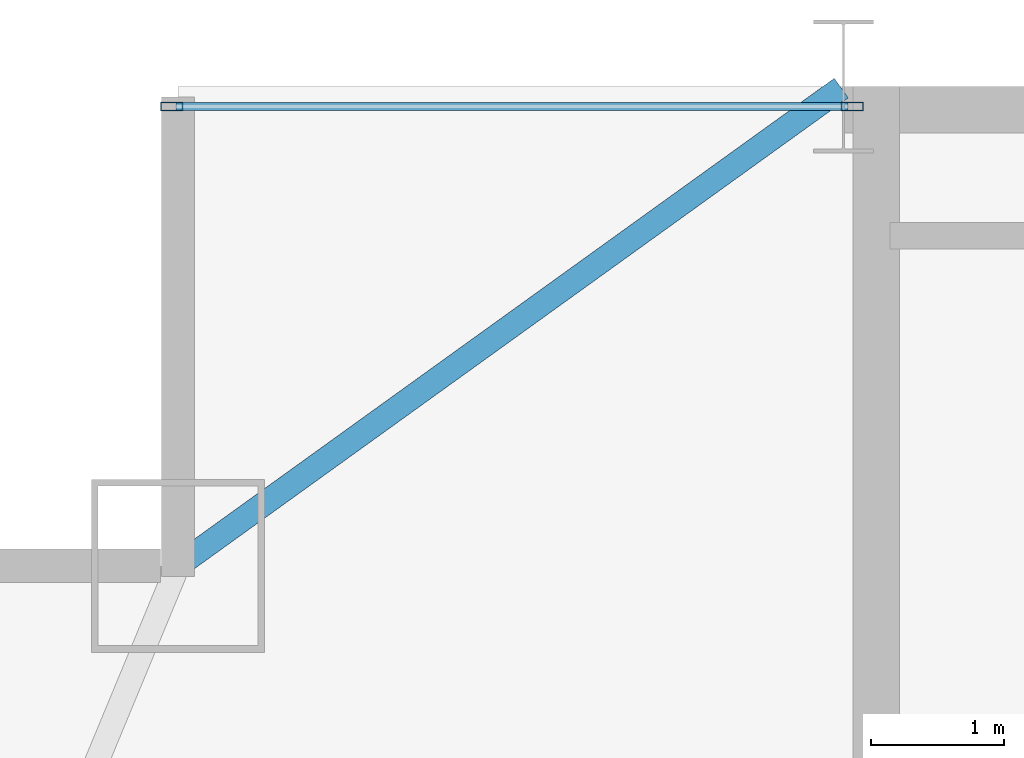
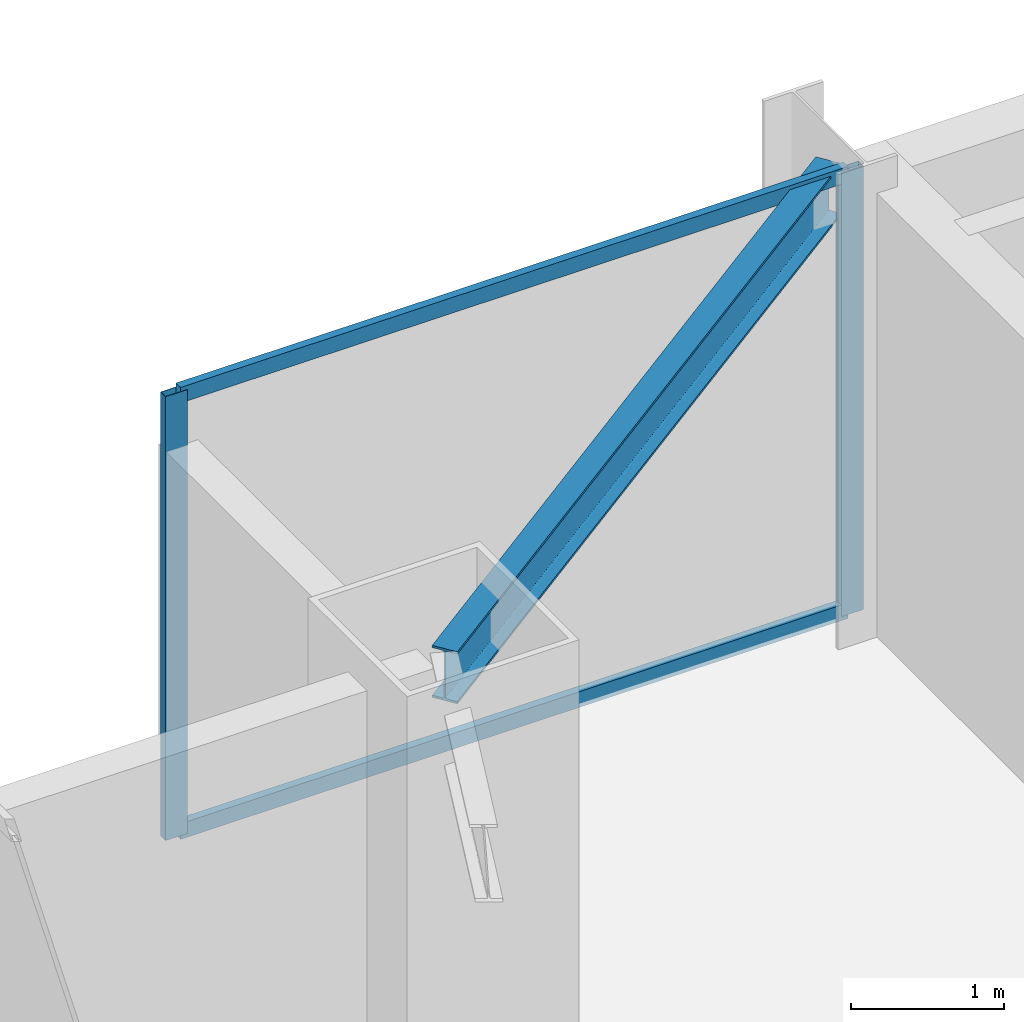
# One storey, part 22 of 34: 4 members, 1 beam, 1 element without a shape of its own.
"""IFC4 building model written with IfcOpenShell, lengths in metres."""

import ifcopenshell
import ifcopenshell.guid

model = None  # the IFC model being written
_history = None  # IfcOwnerHistory: only IFC2X3 demands one
_inside = {}  # id of a spatial element -> (the spatial element, [elements in it])
_under = {}  # id of a project, library or spatial element -> (it, [spatial elements below it])
_declared = {}  # id of a project -> (the project, [libraries it declares])
_typed = {}  # id of a type object -> (the type object, [elements of that type])
_made_of = {}  # id of a material, layer set ... -> (it, [elements and type objects made of it])


def new_model(schema):
    """Start an empty IFC model of exactly this schema.

    Asked for "IFC4X3", IfcOpenShell would pick the latest addendum, in which some entities
    have other attributes; the version numbers below select the first issue.
    IFC2X3 requires an IfcOwnerHistory on every rooted entity: one is made here for all.
    """
    global model, _history
    if schema == "IFC4X3":
        model = ifcopenshell.file(schema_version=(4, 3, 0, 0))
    else:
        model = ifcopenshell.file(schema=schema)
    _inside.clear()
    _under.clear()
    _declared.clear()
    _typed.clear()
    _made_of.clear()
    _history = None
    if model.schema == "IFC2X3":
        org = make("IfcOrganization", Name="unknown")
        user = make(
            "IfcPersonAndOrganization",
            ThePerson=make("IfcPerson", FamilyName="unknown"),
            TheOrganization=org,
        )
        app = make(
            "IfcApplication",
            ApplicationDeveloper=org,
            Version="unknown",
            ApplicationFullName="unknown",
            ApplicationIdentifier="unknown",
        )
        _history = make(
            "IfcOwnerHistory",
            OwningUser=user,
            OwningApplication=app,
            ChangeAction="ADDED",
            CreationDate=0,
        )
    return model


def make(cls, **values):
    """One entity of the class cls with the attributes given. An attribute that is None is left unset."""
    return model.create_entity(
        cls, **{name: value for name, value in values.items() if value is not None}
    )


def rooted(cls, **values):
    """An entity with a GlobalId (a new one), such as an element, a storey or a relation."""
    return make(cls, GlobalId=ifcopenshell.guid.new(), OwnerHistory=_history, **values)


def si_unit(unit_type, name, prefix=None):
    """IfcSIUnit, for example si_unit("LENGTHUNIT", "METRE", prefix="MILLI")."""
    return make("IfcSIUnit", UnitType=unit_type, Prefix=prefix, Name=name)


def assignment(units):
    """IfcUnitAssignment: the units of a project."""
    return None if units is None else make("IfcUnitAssignment", Units=units)


def point(xyz):
    """IfcCartesianPoint."""
    return None if xyz is None else make("IfcCartesianPoint", Coordinates=xyz)


def direction(xyz):
    """IfcDirection."""
    return None if xyz is None else make("IfcDirection", DirectionRatios=xyz)


def frame(location, z_axis=None, x_axis=None):
    """IfcAxis2Placement3D, a coordinate frame: its origin and axes. An axis left out is left unset."""
    return make(
        "IfcAxis2Placement3D",
        Location=point(location),
        Axis=direction(z_axis),
        RefDirection=direction(x_axis),
    )


def frame_2d(location, x_axis=None):
    """IfcAxis2Placement2D, a coordinate frame in the plane: its origin and x axis."""
    return make(
        "IfcAxis2Placement2D", Location=point(location), RefDirection=direction(x_axis)
    )


def origin():
    """The frame at (0, 0, 0) with its axes left unset."""
    return frame((0.0, 0.0, 0.0))


def origin_2d():
    """The frame at (0, 0) in the plane with its x axis left unset."""
    return frame_2d((0.0, 0.0))


def place(relative_to, where):
    """IfcLocalPlacement: puts the frame where relative to a parent placement (None: the world)."""
    return make(
        "IfcLocalPlacement", PlacementRelTo=relative_to, RelativePlacement=where
    )


def context(
    kind, dimensions, precision=None, world=None, true_north=None, identifier=None
):
    """IfcGeometricRepresentationContext, for example the 3D "Model" context."""
    return make(
        "IfcGeometricRepresentationContext",
        ContextIdentifier=identifier,
        ContextType=kind,
        CoordinateSpaceDimension=dimensions,
        Precision=precision,
        WorldCoordinateSystem=world,
        TrueNorth=true_north,
    )


def subcontext(parent, identifier, kind, view, scale=None):
    """IfcGeometricRepresentationSubContext, for example "Body" below "Model"."""
    return make(
        "IfcGeometricRepresentationSubContext",
        ContextIdentifier=identifier,
        ContextType=kind,
        ParentContext=parent,
        TargetScale=scale,
        TargetView=view,
    )


def project(units=None, contexts=None):
    """IfcProject with its units and contexts."""
    return rooted(
        "IfcProject",
        Name="project",
        RepresentationContexts=contexts,
        UnitsInContext=assignment(units),
    )


def spatial(cls, under=None, at=None, **own):
    """A site, building, storey or space (cls), placed at a placement, below another one or the project."""
    s = rooted(cls, ObjectPlacement=at, **own)
    if under is not None:
        _under.setdefault(under.id(), (under, []))[1].append(s)
    return s


def profile(cls, at=None, kind="AREA", **sizes):
    """A parametric profile (cls). Its sizes go by their IFC names, for example OverallWidth=200.0."""
    return make(cls, ProfileType=kind, Position=at, **sizes)


def hollow_rectangle(**sizes):
    """IfcRectangleHollowProfileDef."""
    return profile("IfcRectangleHollowProfileDef", **sizes)


def i_section(**sizes):
    """IfcIShapeProfileDef."""
    return profile("IfcIShapeProfileDef", **sizes)


def extrude(swept, where, along, depth):
    """IfcExtrudedAreaSolid: the profile swept, set in the frame where, extruded along a direction by depth."""
    return make(
        "IfcExtrudedAreaSolid",
        SweptArea=swept,
        Position=where,
        ExtrudedDirection=direction(along),
        Depth=depth,
    )


def shape(context_of_items, identifier, shape_type, items):
    """IfcShapeRepresentation: the items that make up one representation, for example the "Body"."""
    return make(
        "IfcShapeRepresentation",
        ContextOfItems=context_of_items,
        RepresentationIdentifier=identifier,
        RepresentationType=shape_type,
        Items=items,
    )


def source(mapping_origin, context_of_items, identifier, shape_type, items):
    """IfcRepresentationMap: a shape defined once, which mapped items show again and again."""
    return make(
        "IfcRepresentationMap",
        MappingOrigin=mapping_origin,
        MappedRepresentation=shape(context_of_items, identifier, shape_type, items),
    )


def transform(
    local_origin,
    x_axis=None,
    y_axis=None,
    z_axis=None,
    scale=None,
    scale2=None,
    scale3=None,
    uniform=True,
):
    """IfcCartesianTransformationOperator3D, or its non-uniform kind. x_axis, y_axis, z_axis: its Axis1, 2, 3."""
    if uniform:
        return make(
            "IfcCartesianTransformationOperator3D",
            Axis1=direction(x_axis),
            Axis2=direction(y_axis),
            LocalOrigin=point(local_origin),
            Scale=scale,
            Axis3=direction(z_axis),
        )
    return make(
        "IfcCartesianTransformationOperator3DnonUniform",
        Axis1=direction(x_axis),
        Axis2=direction(y_axis),
        LocalOrigin=point(local_origin),
        Scale=scale,
        Axis3=direction(z_axis),
        Scale2=scale2,
        Scale3=scale3,
    )


def mapped(mapping_source, mapping_target):
    """IfcMappedItem: shows the shape of a source again, moved by a transform."""
    return make(
        "IfcMappedItem", MappingSource=mapping_source, MappingTarget=mapping_target
    )


def material(Name=None, Category=None):
    """IfcMaterial."""
    return make("IfcMaterial", Name=Name, Category=Category)


def layer(
    of_material, thickness, ventilated=None, Name=None, Category=None, Priority=None
):
    """IfcMaterialLayer: one layer of a wall or slab, of a material (None: an air gap)."""
    return make(
        "IfcMaterialLayer",
        Material=of_material,
        LayerThickness=thickness,
        IsVentilated=ventilated,
        Name=Name,
        Category=Category,
        Priority=Priority,
    )


def layer_set(layers, Name=None):
    """IfcMaterialLayerSet."""
    return make("IfcMaterialLayerSet", MaterialLayers=layers, LayerSetName=Name)


def material_profile(
    of_material, cross_section, Name=None, Category=None, Priority=None
):
    """IfcMaterialProfile: a cross section and its material."""
    return make(
        "IfcMaterialProfile",
        Name=Name,
        Material=of_material,
        Profile=cross_section,
        Priority=Priority,
        Category=Category,
    )


def profile_set(profiles, Name=None, composite=None):
    """IfcMaterialProfileSet."""
    return make(
        "IfcMaterialProfileSet",
        Name=Name,
        MaterialProfiles=profiles,
        CompositeProfile=composite,
    )


def made_of(thing, what):
    """Note that an element or type object is made of a material, layer set ...; save() writes the relation."""
    if what is not None:
        _made_of.setdefault(what.id(), (what, []))[1].append(thing)
    return thing


def type_object(cls, material=None, **own):
    """A type object (cls), such as IfcWallType, which elements share."""
    return made_of(rooted(cls, **own), material)


def type_shapes(of_type, sources):
    """Give a type object the sources (RepresentationMaps) that its elements show as mapped items."""
    of_type.RepresentationMaps = sources


def element(
    cls,
    number,
    at=None,
    inside=None,
    cuts=None,
    type_object=None,
    material=None,
    context=None,
    identifier="Body",
    shape_type=None,
    held_by="IfcProductDefinitionShape",
    body=None,
    shapes=None,
    **own,
):
    """One element of the class cls, such as IfcWall. Its Tag is "e" and its number.

    at: its placement. inside: the storey or other place that contains it. cuts: it is an
    opening in that element (IfcRelVoidsElement). A single representation is given by context,
    identifier, shape_type and body (its items); several are given by shapes. held_by: the class
    of the entity that holds the representations. save() writes the other relations.
    """
    e = rooted(cls, Tag="e%d" % number, ObjectPlacement=at, **own)
    if body is not None:
        shapes = [shape(context, identifier, shape_type, body)]
    if shapes is not None:
        e.Representation = make(held_by, Representations=shapes)
    if inside is not None:
        _inside.setdefault(inside.id(), (inside, []))[1].append(e)
    if cuts is not None:
        rooted(
            "IfcRelVoidsElement", RelatingBuildingElement=cuts, RelatedOpeningElement=e
        )
    if type_object is not None:
        _typed.setdefault(type_object.id(), (type_object, []))[1].append(e)
    return made_of(e, material)


def aggregate(whole, parts):
    """IfcRelAggregates: a whole, such as a stair, and the parts it consists of."""
    return rooted("IfcRelAggregates", RelatingObject=whole, RelatedObjects=parts)


def save(model, path):
    """Write the relations noted so far, then the file.

    IfcRelAggregates (storeys below a building ...), IfcRelContainedInSpatialStructure (elements
    in a storey), IfcRelDefinesByType, IfcRelAssociatesMaterial and IfcRelDeclares: one each for
    every whole, place, type object, material and project.
    """
    for whole, parts in _under.values():
        aggregate(whole, parts)
    for where, things in _inside.values():
        rooted(
            "IfcRelContainedInSpatialStructure",
            RelatedElements=things,
            RelatingStructure=where,
        )
    for kind, things in _typed.values():
        rooted("IfcRelDefinesByType", RelatedObjects=things, RelatingType=kind)
    for what, things in _made_of.values():
        rooted("IfcRelAssociatesMaterial", RelatedObjects=things, RelatingMaterial=what)
    for by, libraries in _declared.values():
        rooted("IfcRelDeclares", RelatingContext=by, RelatedDefinitions=libraries)
    model.write(path)


model = new_model("IFC4")

# Units and contexts
model_context = context("Model", 3, precision=1e-05, world=origin(), true_north=direction((0.0, 1.0)))
body_context = subcontext(model_context, "Body", "Model", "MODEL_VIEW")
ifc_project = project(units=[si_unit("LENGTHUNIT", "METRE"), si_unit("AREAUNIT", "SQUARE_METRE"), si_unit("VOLUMEUNIT", "CUBIC_METRE"), si_unit("PLANEANGLEUNIT", "RADIAN"), si_unit("MASSUNIT", "GRAM", prefix="KILO")], contexts=[model_context])

# Site, building, storey
site_placement = place(None, origin())
site = spatial("IfcSite", under=ifc_project, at=site_placement, CompositionType="ELEMENT")
building_placement = place(site_placement, origin())
building = spatial("IfcBuilding", under=site, at=building_placement, Name="Varnel Quay Broadcast Tower", CompositionType="ELEMENT")
storey_placement = place(building_placement, frame((0.0, 0.0, 161.0)))
storey = spatial("IfcBuildingStorey", under=building, at=storey_placement, Name="L39", CompositionType="ELEMENT", Elevation=161.0)

# Beam
ifc_material_1 = material(Name="Structural Steel CSA G40.21 350W", Category="steel")
ifc_material_profile_1 = material_profile(ifc_material_1, i_section(OverallWidth=0.180908203125, OverallDepth=0.4169921875, WebThickness=0.010986328125, FlangeThickness=0.018310546875, FilletRadius=0.011962890625, at=origin_2d()), Name="W410X85")
ifc_profile_set_1 = profile_set([ifc_material_profile_1], Name="Structural Steel CSA G40.21 350W")
beam_type = type_object("IfcBeamType", Name="Beam_W410X85", PredefinedType="SPANDREL", material=ifc_profile_set_1)
shared_shape_1 = source(origin(), body_context, "Body", "SweptSolid", [
    extrude(i_section(OverallWidth=0.180908203125, OverallDepth=0.4169921875, WebThickness=0.010986328125, FlangeThickness=0.018310546875, FilletRadius=0.011962890625, at=origin_2d()), origin(), (0.0, 0.0, 1.0), 6.12109375),
])
type_shapes(beam_type, [shared_shape_1])
beam_placement = place(storey_placement, frame((10.6162109375, 43.211669921875, 3.341552734375), z_axis=(0.811531315425, 0.584308928637, 0.0), x_axis=(-0.584308928637, 0.811531315425, 0.0)))
element("IfcBeam", 1, at=beam_placement, inside=storey, type_object=beam_type, Name="L39 NW Tie Spandrel", PredefinedType="SPANDREL", context=body_context, shape_type="MappedRepresentation", body=[
    mapped(shared_shape_1, transform((0.0, 0.0, 0.0), x_axis=(1.0, 0.0, 0.0), y_axis=(0.0, 1.0, 0.0), z_axis=(0.0, 0.0, 1.0), scale=1.0)),
])

# Curtain wall, members
ifc_material_2 = material(Name="Anodised Bronze Aluminium 6063-T6", Category="aluminium")
ifc_layer = layer(ifc_material_2, 0.18994140625, Name="Anodised Bronze Aluminium 6063-T6")
ifc_layer_set = layer_set([ifc_layer], Name="Anodised Bronze Aluminium 6063-T6")
curtain_wall_type = type_object("IfcCurtainWallType", Name="CW_UpperTower", PredefinedType="NOTDEFINED", material=ifc_layer_set)
curtain_wall_placement = place(storey_placement, origin())
curtain_wall = element("IfcCurtainWall", 2, at=curtain_wall_placement, inside=storey, type_object=curtain_wall_type, Name="L39 NW Wing Curtain Wall", PredefinedType="NOTDEFINED")
ifc_material_profile_2 = material_profile(ifc_material_2, hollow_rectangle(XDim=0.06494140625, YDim=0.1650390625, WallThickness=0.00341796875, at=origin_2d()), Name="ALU65X165X3.5")
ifc_profile_set_2 = profile_set([ifc_material_profile_2], Name="Anodised Bronze Aluminium 6063-T6")
member_type_1 = type_object("IfcMemberType", Name="Mull_CWS-03", PredefinedType="MULLION", material=ifc_profile_set_2)
shared_shape_2 = source(origin(), body_context, "Body", "SweptSolid", [
    extrude(hollow_rectangle(XDim=0.06494140625, YDim=0.1650390625, WallThickness=0.00341796875, at=origin_2d()), origin(), (0.0, 0.0, 1.0), 3.550048828125),
])
type_shapes(member_type_1, [shared_shape_2])
member_1_placement = place(storey_placement, frame((10.552490234375, 46.64990234375, 0.0), z_axis=(0.0, 0.0, 1.0), x_axis=(0.0, 1.0, 0.0)))
member_1 = element("IfcMember", 3, at=member_1_placement, type_object=member_type_1, Name="CWS-03 mullion 1", PredefinedType="MULLION", context=body_context, shape_type="MappedRepresentation", body=[
    mapped(shared_shape_2, transform((0.0, 0.0, 0.0), x_axis=(1.0, 0.0, 0.0), y_axis=(0.0, 1.0, 0.0), z_axis=(0.0, 0.0, 1.0), scale=1.0)),
])
member_2_placement = place(storey_placement, frame((15.66748046875, 46.64990234375, 0.0), z_axis=(0.0, 0.0, 1.0), x_axis=(0.0, 1.0, 0.0)))
member_2 = element("IfcMember", 4, at=member_2_placement, type_object=member_type_1, Name="CWS-03 mullion 2", PredefinedType="MULLION", context=body_context, shape_type="MappedRepresentation", body=[
    mapped(shared_shape_2, transform((0.0, 0.0, 0.0), x_axis=(1.0, 0.0, 0.0), y_axis=(0.0, 1.0, 0.0), z_axis=(0.0, 0.0, 1.0), scale=1.0)),
])
ifc_material_profile_3 = material_profile(ifc_material_2, hollow_rectangle(XDim=0.06005859375, YDim=0.125, WallThickness=0.0029296875, at=origin_2d()), Name="ALU60X125X3")
ifc_profile_set_3 = profile_set([ifc_material_profile_3], Name="Anodised Bronze Aluminium 6063-T6")
member_type_2 = type_object("IfcMemberType", Name="Tran_CWS-03", PredefinedType="USERDEFINED", material=ifc_profile_set_3)
shared_shape_3 = source(origin(), body_context, "Body", "SweptSolid", [
    extrude(hollow_rectangle(XDim=0.06005859375, YDim=0.125, WallThickness=0.0029296875, at=origin_2d()), origin(), (0.0, 0.0, 1.0), 5.050048828125),
])
type_shapes(member_type_2, [shared_shape_3])
member_3_placement = place(storey_placement, frame((10.5849609375, 46.64990234375, 0.030029296875), z_axis=(1.0, 0.0, 0.0), x_axis=(0.0, 1.0, 0.0)))
member_3 = element("IfcMember", 5, at=member_3_placement, type_object=member_type_2, Name="CWS-03 transom 1.1", ObjectType="TRANSOM", PredefinedType="USERDEFINED", context=body_context, shape_type="MappedRepresentation", body=[
    mapped(shared_shape_3, transform((0.0, 0.0, 0.0), x_axis=(1.0, 0.0, 0.0), y_axis=(0.0, 1.0, 0.0), z_axis=(0.0, 0.0, 1.0), scale=1.0)),
])
member_4_placement = place(storey_placement, frame((10.5849609375, 46.64990234375, 3.52001953125), z_axis=(1.0, 0.0, 0.0), x_axis=(0.0, 1.0, 0.0)))
member_4 = element("IfcMember", 6, at=member_4_placement, type_object=member_type_2, Name="CWS-03 transom 1.2", ObjectType="TRANSOM", PredefinedType="USERDEFINED", context=body_context, shape_type="MappedRepresentation", body=[
    mapped(shared_shape_3, transform((0.0, 0.0, 0.0), x_axis=(1.0, 0.0, 0.0), y_axis=(0.0, 1.0, 0.0), z_axis=(0.0, 0.0, 1.0), scale=1.0)),
])
aggregate(curtain_wall, [member_1, member_2, member_3, member_4])

save(model, "model.ifc")
